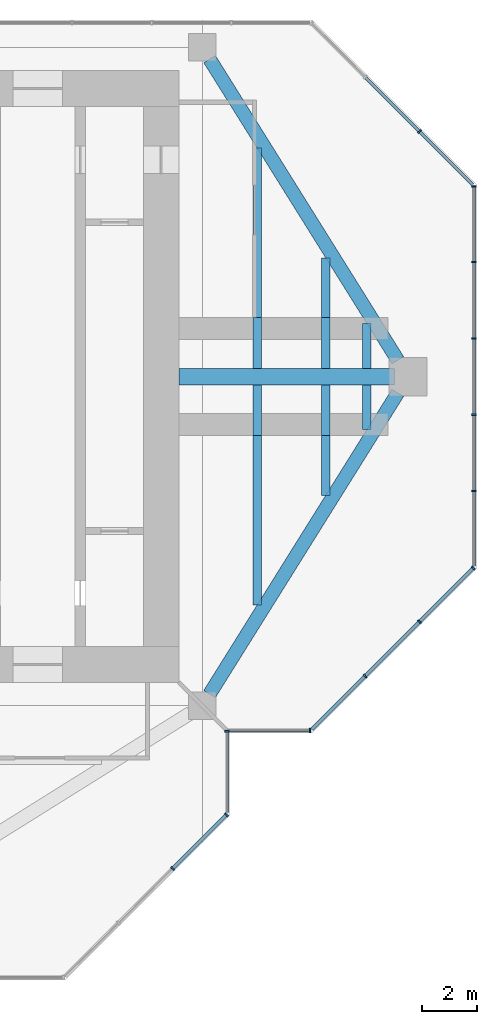
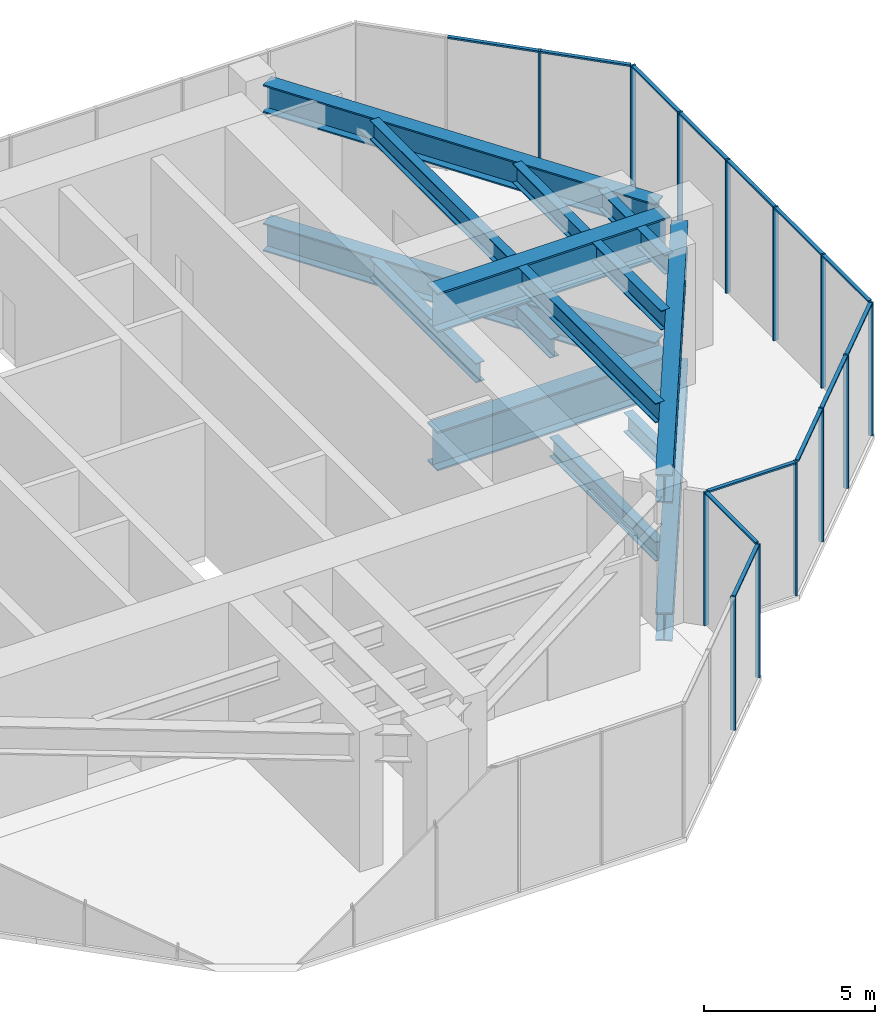
# One storey, part 5 of 10: 26 members, 16 beams, 6 elements without a shape of their own.
"""IFC4 building model written with IfcOpenShell, lengths in metres."""

from ifc_helpers import new_model, si_unit, direction, frame, origin, origin_2d, place, context, subcontext, project, spatial, rectangle, i_section, extrude, material, material_profile, profile_set, type_object, element, aggregate, save


model = new_model("IFC4")

# Units and contexts
model_context = context("Model", 3, precision=1e-05, world=origin(), true_north=direction((0.0, 1.0)))
body_context = subcontext(model_context, "Body", "Model", "MODEL_VIEW")
ifc_project = project(units=[si_unit("LENGTHUNIT", "METRE"), si_unit("AREAUNIT", "SQUARE_METRE"), si_unit("VOLUMEUNIT", "CUBIC_METRE"), si_unit("PLANEANGLEUNIT", "RADIAN"), si_unit("MASSUNIT", "GRAM", prefix="KILO")], contexts=[model_context])

# Site, building, storey
site_placement = place(None, origin())
site = spatial("IfcSite", under=ifc_project, at=site_placement, CompositionType="ELEMENT")
building_placement = place(site_placement, origin())
building = spatial("IfcBuilding", under=site, at=building_placement, Name="Mizan Broadcast Tower", CompositionType="ELEMENT")
storey_placement = place(building_placement, frame((0.0, 0.0, 311.300048828125)))
storey = spatial("IfcBuildingStorey", under=building, at=storey_placement, Name="L74", CompositionType="ELEMENT", Elevation=311.300048828125)

# Beams
ifc_material_1 = material(Name="Steel S460", Category="steel")
ifc_material_profile_1 = material_profile(ifc_material_1, i_section(OverallWidth=0.5, OverallDepth=1.0, WebThickness=0.02490234375, FlangeThickness=0.050048828125, at=origin_2d()), Name="WPG 1000x500")
ifc_profile_set_1 = profile_set([ifc_material_profile_1], Name="Steel S460")
beam_type_1 = type_object("IfcBeamType", Name="GIRDER WPG 1000x500", PredefinedType="BEAM", material=ifc_profile_set_1)
for number, where, z_axis, x_axis, name in (
    (1, (12.264892578125, -11.575927734375, -0.679931640625), (0.529998940003, 0.847998304005, 0.0), (-0.847998304005, 0.529998940003, 0.0), "Girder WPG 1000x500 L74 east arm"),
    (2, (12.264892578125, 11.575927734375, -0.679931640625), (0.529998940003, -0.847998304005, 0.0), (0.847998304005, 0.529998940003, 0.0), "Girder WPG 1000x500 L74 east arm"),
    (3, (12.264892578125, -11.575927734375, 4.25), (0.529998940003, 0.847998304005, 0.0), (-0.847998304005, 0.529998940003, 0.0), "Girder WPG 1000x500 L74 east arm"),
    (4, (12.264892578125, 11.575927734375, 4.25), (0.529998940003, -0.847998304005, 0.0), (0.847998304005, 0.529998940003, 0.0), "Girder WPG 1000x500 L74 east arm"),
):
    element("IfcBeam", number, at=place(storey_placement, frame(where, z_axis=z_axis, x_axis=x_axis)), inside=storey, type_object=beam_type_1, Name=name, PredefinedType="BEAM", context=body_context, shape_type="SweptSolid", body=[
        extrude(i_section(OverallWidth=0.5, OverallDepth=1.0, WebThickness=0.02490234375, FlangeThickness=0.050048828125, at=origin_2d()), origin(), (0.0, 0.0, 1.0), 12.950927734375),
    ])
ifc_material_2 = material(Name="Steel S460", Category="steel")
ifc_material_profile_2 = material_profile(ifc_material_2, i_section(OverallWidth=0.60009765625, OverallDepth=1.39990234375, WebThickness=0.02490234375, FlangeThickness=0.06005859375, at=origin_2d()), Name="WPG 1400x600")
ifc_profile_set_2 = profile_set([ifc_material_profile_2], Name="Steel S460")
beam_type_2 = type_object("IfcBeamType", Name="GIRDER WPG 1400x600", PredefinedType="BEAM", material=ifc_profile_set_2)
for number, where, z_axis, x_axis, name in (
    (5, (11.14990234375, 0.0, -0.880126953125), (1.0, 0.0, 0.0), (0.0, 1.0, 0.0), "Girder WPG 1400x600 L74 east arm"),
    (6, (11.14990234375, 0.0, 4.050048828125), (1.0, 0.0, 0.0), (0.0, 1.0, 0.0), "Girder WPG 1400x600 L74 east arm"),
):
    element("IfcBeam", number, at=place(storey_placement, frame(where, z_axis=z_axis, x_axis=x_axis)), inside=storey, type_object=beam_type_2, Name=name, PredefinedType="BEAM", context=body_context, shape_type="SweptSolid", body=[
        extrude(i_section(OverallWidth=0.60009765625, OverallDepth=1.39990234375, WebThickness=0.02490234375, FlangeThickness=0.06005859375, at=origin_2d()), origin(), (0.0, 0.0, 1.0), 7.84912109375),
    ])

# Curtain wall, member
ifc_material_3 = material(Name="Aluminium framed glazing", Category="aluminium")
curtain_wall_type = type_object("IfcCurtainWallType", Name="LANTERN", PredefinedType="USERDEFINED", material=ifc_material_3)
curtain_wall_1_placement = place(storey_placement, origin())
curtain_wall_1 = element("IfcCurtainWall", 7, at=curtain_wall_1_placement, inside=storey, type_object=curtain_wall_type, Name="Lantern L74 E side", ObjectType="LANTERN", PredefinedType="USERDEFINED")
ifc_material_4 = material(Name="Aluminium, pale anodised", Category="aluminium")
ifc_material_profile_3 = material_profile(ifc_material_4, rectangle(XDim=0.159912109375, YDim=0.06005859375, at=origin_2d()), Name="MULLION 160x60")
ifc_profile_set_3 = profile_set([ifc_material_profile_3], Name="Aluminium, pale anodised")
member_type_1 = type_object("IfcMemberType", Name="INNER SKIN MULLION 60x160", PredefinedType="MULLION", material=ifc_profile_set_3)
member_1_placement = place(storey_placement, frame((15.928466796875, -12.89990234375, 0.0), z_axis=(0.0, 0.0, 1.0), x_axis=(0.0, 1.0, 0.0)))
member_1 = element("IfcMember", 8, at=member_1_placement, type_object=member_type_1, Name="Lantern L74 E side mullion 2", PredefinedType="MULLION", context=body_context, shape_type="SweptSolid", body=[
    extrude(rectangle(XDim=0.159912109375, YDim=0.06005859375, at=origin_2d()), origin(), (0.0, 0.0, 1.0), 4.75),
])

# Curtain wall, members
curtain_wall_2_placement = place(storey_placement, origin())
curtain_wall_2 = element("IfcCurtainWall", 9, at=curtain_wall_2_placement, inside=storey, type_object=curtain_wall_type, Name="Lantern L74 E chamfer", ObjectType="LANTERN", PredefinedType="USERDEFINED")
member_2_placement = place(storey_placement, frame((17.93896484375, -10.91943359375, 0.0), z_axis=(0.0, 0.0, 1.0), x_axis=(-0.707106781187, 0.707106781187, 0.0)))
member_2 = element("IfcMember", 10, at=member_2_placement, type_object=member_type_1, Name="Lantern L74 E chamfer mullion 2", PredefinedType="MULLION", context=body_context, shape_type="SweptSolid", body=[
    extrude(rectangle(XDim=0.159912109375, YDim=0.06005859375, at=origin_2d()), origin(), (0.0, 0.0, 1.0), 4.75),
])
member_3_placement = place(storey_placement, frame((19.91943359375, -8.93896484375, 0.0), z_axis=(0.0, 0.0, 1.0), x_axis=(-0.707106781187, 0.707106781187, 0.0)))
member_3 = element("IfcMember", 11, at=member_3_placement, type_object=member_type_1, Name="Lantern L74 E chamfer mullion 3", PredefinedType="MULLION", context=body_context, shape_type="SweptSolid", body=[
    extrude(rectangle(XDim=0.159912109375, YDim=0.06005859375, at=origin_2d()), origin(), (0.0, 0.0, 1.0), 4.75),
])
member_4_placement = place(storey_placement, frame((21.87890625, -6.979736328125, 0.0), z_axis=(0.0, 0.0, 1.0), x_axis=(-0.707106781187, 0.707106781187, 0.0)))
member_4 = element("IfcMember", 12, at=member_4_placement, type_object=member_type_1, Name="Lantern L74 E chamfer mullion 4", PredefinedType="MULLION", context=body_context, shape_type="SweptSolid", body=[
    extrude(rectangle(XDim=0.159912109375, YDim=0.06005859375, at=origin_2d()), origin(), (0.0, 0.0, 1.0), 4.75),
])

curtain_wall_3_placement = place(storey_placement, origin())
curtain_wall_3 = element("IfcCurtainWall", 13, at=curtain_wall_3_placement, inside=storey, type_object=curtain_wall_type, Name="Lantern L74 E end", ObjectType="LANTERN", PredefinedType="USERDEFINED")
member_5_placement = place(storey_placement, frame((21.89990234375, -4.175048828125, 0.0), z_axis=(0.0, 0.0, 1.0), x_axis=(-1.0, 0.0, 0.0)))
member_5 = element("IfcMember", 14, at=member_5_placement, type_object=member_type_1, Name="Lantern L74 E end mullion 2", PredefinedType="MULLION", context=body_context, shape_type="SweptSolid", body=[
    extrude(rectangle(XDim=0.159912109375, YDim=0.06005859375, at=origin_2d()), origin(), (0.0, 0.0, 1.0), 4.75),
])
member_6_placement = place(storey_placement, frame((21.89990234375, -1.3916015625, 0.0), z_axis=(0.0, 0.0, 1.0), x_axis=(-1.0, 0.0, 0.0)))
member_6 = element("IfcMember", 15, at=member_6_placement, type_object=member_type_1, Name="Lantern L74 E end mullion 3", PredefinedType="MULLION", context=body_context, shape_type="SweptSolid", body=[
    extrude(rectangle(XDim=0.159912109375, YDim=0.06005859375, at=origin_2d()), origin(), (0.0, 0.0, 1.0), 4.75),
])
member_7_placement = place(storey_placement, frame((21.89990234375, 1.3916015625, 0.0), z_axis=(0.0, 0.0, 1.0), x_axis=(-1.0, 0.0, 0.0)))
member_7 = element("IfcMember", 16, at=member_7_placement, type_object=member_type_1, Name="Lantern L74 E end mullion 4", PredefinedType="MULLION", context=body_context, shape_type="SweptSolid", body=[
    extrude(rectangle(XDim=0.159912109375, YDim=0.06005859375, at=origin_2d()), origin(), (0.0, 0.0, 1.0), 4.75),
])
member_8_placement = place(storey_placement, frame((21.89990234375, 4.175048828125, 0.0), z_axis=(0.0, 0.0, 1.0), x_axis=(-1.0, 0.0, 0.0)))
member_8 = element("IfcMember", 17, at=member_8_placement, type_object=member_type_1, Name="Lantern L74 E end mullion 5", PredefinedType="MULLION", context=body_context, shape_type="SweptSolid", body=[
    extrude(rectangle(XDim=0.159912109375, YDim=0.06005859375, at=origin_2d()), origin(), (0.0, 0.0, 1.0), 4.75),
])
member_9_placement = place(storey_placement, frame((21.89990234375, 6.928466796875, 0.0), z_axis=(0.0, 0.0, 1.0), x_axis=(-1.0, 0.0, 0.0)))
member_9 = element("IfcMember", 18, at=member_9_placement, type_object=member_type_1, Name="Lantern L74 E end mullion 6", PredefinedType="MULLION", context=body_context, shape_type="SweptSolid", body=[
    extrude(rectangle(XDim=0.159912109375, YDim=0.06005859375, at=origin_2d()), origin(), (0.0, 0.0, 1.0), 4.75),
])

# Curtain wall, member
curtain_wall_4_placement = place(storey_placement, origin())
curtain_wall_4 = element("IfcCurtainWall", 19, at=curtain_wall_4_placement, inside=storey, type_object=curtain_wall_type, Name="Lantern L74 E chamfer", ObjectType="LANTERN", PredefinedType="USERDEFINED")
member_10_placement = place(storey_placement, frame((19.91943359375, 8.93896484375, 0.0), z_axis=(0.0, 0.0, 1.0), x_axis=(-0.707106781187, -0.707106781187, 0.0)))
member_10 = element("IfcMember", 20, at=member_10_placement, type_object=member_type_1, Name="Lantern L74 E chamfer mullion 2", PredefinedType="MULLION", context=body_context, shape_type="SweptSolid", body=[
    extrude(rectangle(XDim=0.159912109375, YDim=0.06005859375, at=origin_2d()), origin(), (0.0, 0.0, 1.0), 4.75),
])

# Curtain wall, members
curtain_wall_5_placement = place(storey_placement, origin())
curtain_wall_5 = element("IfcCurtainWall", 21, at=curtain_wall_5_placement, inside=storey, type_object=curtain_wall_type, Name="Lantern L74 S chamfer", ObjectType="LANTERN", PredefinedType="USERDEFINED")
member_11_placement = place(storey_placement, frame((10.91943359375, -17.93896484375, 0.0), z_axis=(0.0, 0.0, 1.0), x_axis=(-0.707106781187, 0.707106781187, 0.0)))
member_11 = element("IfcMember", 22, at=member_11_placement, type_object=member_type_1, Name="Lantern L74 S chamfer mullion 3", PredefinedType="MULLION", context=body_context, shape_type="SweptSolid", body=[
    extrude(rectangle(XDim=0.159912109375, YDim=0.06005859375, at=origin_2d()), origin(), (0.0, 0.0, 1.0), 4.75),
])
member_12_placement = place(storey_placement, frame((12.87890625, -15.979736328125, 0.0), z_axis=(0.0, 0.0, 1.0), x_axis=(-0.707106781187, 0.707106781187, 0.0)))
member_12 = element("IfcMember", 23, at=member_12_placement, type_object=member_type_1, Name="Lantern L74 S chamfer mullion 4", PredefinedType="MULLION", context=body_context, shape_type="SweptSolid", body=[
    extrude(rectangle(XDim=0.159912109375, YDim=0.06005859375, at=origin_2d()), origin(), (0.0, 0.0, 1.0), 4.75),
])

# Curtain wall, member
curtain_wall_6_placement = place(storey_placement, origin())
curtain_wall_6 = element("IfcCurtainWall", 24, at=curtain_wall_6_placement, inside=storey, type_object=curtain_wall_type, Name="Lantern L74 S side", ObjectType="LANTERN", PredefinedType="USERDEFINED")
member_13_placement = place(storey_placement, frame((12.89990234375, -12.929931640625, 0.0), z_axis=(0.0, 0.0, 1.0), x_axis=(-1.0, 0.0, 0.0)))
member_13 = element("IfcMember", 25, at=member_13_placement, type_object=member_type_1, Name="Lantern L74 S side mullion 2", PredefinedType="MULLION", context=body_context, shape_type="SweptSolid", body=[
    extrude(rectangle(XDim=0.159912109375, YDim=0.06005859375, at=origin_2d()), origin(), (0.0, 0.0, 1.0), 4.75),
])

# Member
ifc_material_5 = material(Name="Aluminium, pale anodised", Category="aluminium")
ifc_material_profile_4 = material_profile(ifc_material_5, rectangle(XDim=0.1201171875, YDim=0.06005859375, at=origin_2d()), Name="TRANSOM 120x60")
ifc_profile_set_4 = profile_set([ifc_material_profile_4], Name="Aluminium, pale anodised")
member_type_2 = type_object("IfcMemberType", Name="INNER SKIN TRANSOM 60x120", PredefinedType="USERDEFINED", material=ifc_profile_set_4)
member_14_placement = place(storey_placement, frame((12.9599609375, -12.89990234375, 4.719970703125), z_axis=(1.0, 0.0, 0.0), x_axis=(0.0, 1.0, 0.0)))
member_14 = element("IfcMember", 26, at=member_14_placement, type_object=member_type_2, Name="Lantern L74 E side transom 1.1", ObjectType="TRANSOM", PredefinedType="USERDEFINED", context=body_context, shape_type="SweptSolid", body=[
    extrude(rectangle(XDim=0.1201171875, YDim=0.06005859375, at=origin_2d()), origin(), (0.0, 0.0, 1.0), 2.938720703125),
])

aggregate(curtain_wall_1, [member_1, member_14])

member_15_placement = place(storey_placement, frame((16.0009765625, -12.857666015625, 4.719970703125), z_axis=(0.707061749709, 0.707151809797, 0.0), x_axis=(-0.707151809797, 0.707061749709, 0.0)))
member_15 = element("IfcMember", 27, at=member_15_placement, type_object=member_type_2, Name="Lantern L74 E chamfer transom 1.1", ObjectType="TRANSOM", PredefinedType="USERDEFINED", context=body_context, shape_type="SweptSolid", body=[
    extrude(rectangle(XDim=0.1201171875, YDim=0.06005859375, at=origin_2d()), origin(), (0.0, 0.0, 1.0), 2.7109375),
])

member_16_placement = place(storey_placement, frame((17.960205078125, -10.898193359375, 4.719970703125), z_axis=(0.707106781187, 0.707106781187, 0.0), x_axis=(-0.707106781187, 0.707106781187, 0.0)))
member_16 = element("IfcMember", 28, at=member_16_placement, type_object=member_type_2, Name="Lantern L74 E chamfer transom 2.1", ObjectType="TRANSOM", PredefinedType="USERDEFINED", context=body_context, shape_type="SweptSolid", body=[
    extrude(rectangle(XDim=0.1201171875, YDim=0.06005859375, at=origin_2d()), origin(), (0.0, 0.0, 1.0), 2.74072265625),
])

member_17_placement = place(storey_placement, frame((19.940673828125, -8.917724609375, 4.719970703125), z_axis=(0.707151809797, 0.707061749709, 0.0), x_axis=(-0.707061749709, 0.707151809797, 0.0)))
member_17 = element("IfcMember", 29, at=member_17_placement, type_object=member_type_2, Name="Lantern L74 E chamfer transom 3.1", ObjectType="TRANSOM", PredefinedType="USERDEFINED", context=body_context, shape_type="SweptSolid", body=[
    extrude(rectangle(XDim=0.1201171875, YDim=0.06005859375, at=origin_2d()), origin(), (0.0, 0.0, 1.0), 2.7109375),
])

aggregate(curtain_wall_2, [member_2, member_3, member_4, member_15, member_16, member_17])

member_18_placement = place(storey_placement, frame((21.89990234375, -6.898681640625, 4.719970703125), z_axis=(0.0, 1.0, 0.0), x_axis=(-1.0, 0.0, 0.0)))
member_18 = element("IfcMember", 30, at=member_18_placement, type_object=member_type_2, Name="Lantern L74 E end transom 1.1", ObjectType="TRANSOM", PredefinedType="USERDEFINED", context=body_context, shape_type="SweptSolid", body=[
    extrude(rectangle(XDim=0.1201171875, YDim=0.06005859375, at=origin_2d()), origin(), (0.0, 0.0, 1.0), 2.693603515625),
])

member_19_placement = place(storey_placement, frame((21.89990234375, -4.145263671875, 4.719970703125), z_axis=(0.0, 1.0, 0.0), x_axis=(-1.0, 0.0, 0.0)))
member_19 = element("IfcMember", 31, at=member_19_placement, type_object=member_type_2, Name="Lantern L74 E end transom 2.1", ObjectType="TRANSOM", PredefinedType="USERDEFINED", context=body_context, shape_type="SweptSolid", body=[
    extrude(rectangle(XDim=0.1201171875, YDim=0.06005859375, at=origin_2d()), origin(), (0.0, 0.0, 1.0), 2.7236328125),
])

member_20_placement = place(storey_placement, frame((21.89990234375, -1.36181640625, 4.719970703125), z_axis=(0.0, 1.0, 0.0), x_axis=(-1.0, 0.0, 0.0)))
member_20 = element("IfcMember", 32, at=member_20_placement, type_object=member_type_2, Name="Lantern L74 E end transom 3.1", ObjectType="TRANSOM", PredefinedType="USERDEFINED", context=body_context, shape_type="SweptSolid", body=[
    extrude(rectangle(XDim=0.1201171875, YDim=0.06005859375, at=origin_2d()), origin(), (0.0, 0.0, 1.0), 2.7236328125),
])

member_21_placement = place(storey_placement, frame((21.89990234375, 1.421630859375, 4.719970703125), z_axis=(0.0, 1.0, 0.0), x_axis=(-1.0, 0.0, 0.0)))
member_21 = element("IfcMember", 33, at=member_21_placement, type_object=member_type_2, Name="Lantern L74 E end transom 4.1", ObjectType="TRANSOM", PredefinedType="USERDEFINED", context=body_context, shape_type="SweptSolid", body=[
    extrude(rectangle(XDim=0.1201171875, YDim=0.06005859375, at=origin_2d()), origin(), (0.0, 0.0, 1.0), 2.7236328125),
])

member_22_placement = place(storey_placement, frame((21.89990234375, 4.205078125, 4.719970703125), z_axis=(0.0, 1.0, 0.0), x_axis=(-1.0, 0.0, 0.0)))
member_22 = element("IfcMember", 34, at=member_22_placement, type_object=member_type_2, Name="Lantern L74 E end transom 5.1", ObjectType="TRANSOM", PredefinedType="USERDEFINED", context=body_context, shape_type="SweptSolid", body=[
    extrude(rectangle(XDim=0.1201171875, YDim=0.06005859375, at=origin_2d()), origin(), (0.0, 0.0, 1.0), 2.693603515625),
])

aggregate(curtain_wall_3, [member_5, member_6, member_7, member_8, member_9, member_18, member_19, member_20, member_21, member_22])

member_23_placement = place(storey_placement, frame((21.857666015625, 7.0009765625, 4.719970703125), z_axis=(-0.707151809797, 0.707061749709, 0.0), x_axis=(-0.707061749709, -0.707151809797, 0.0)))
member_23 = element("IfcMember", 35, at=member_23_placement, type_object=member_type_2, Name="Lantern L74 E chamfer transom 1.1", ObjectType="TRANSOM", PredefinedType="USERDEFINED", context=body_context, shape_type="SweptSolid", body=[
    extrude(rectangle(XDim=0.1201171875, YDim=0.06005859375, at=origin_2d()), origin(), (0.0, 0.0, 1.0), 2.7109375),
])

member_24_placement = place(storey_placement, frame((19.898193359375, 8.960205078125, 4.719970703125), z_axis=(-0.707106781187, 0.707106781187, 0.0), x_axis=(-0.707106781187, -0.707106781187, 0.0)))
member_24 = element("IfcMember", 36, at=member_24_placement, type_object=member_type_2, Name="Lantern L74 E chamfer transom 2.1", ObjectType="TRANSOM", PredefinedType="USERDEFINED", context=body_context, shape_type="SweptSolid", body=[
    extrude(rectangle(XDim=0.1201171875, YDim=0.06005859375, at=origin_2d()), origin(), (0.0, 0.0, 1.0), 2.74072265625),
])

aggregate(curtain_wall_4, [member_10, member_23, member_24])

member_25_placement = place(storey_placement, frame((10.940673828125, -17.917724609375, 4.719970703125), z_axis=(0.707151809797, 0.707061749709, 0.0), x_axis=(-0.707061749709, 0.707151809797, 0.0)))
member_25 = element("IfcMember", 37, at=member_25_placement, type_object=member_type_2, Name="Lantern L74 S chamfer transom 3.1", ObjectType="TRANSOM", PredefinedType="USERDEFINED", context=body_context, shape_type="SweptSolid", body=[
    extrude(rectangle(XDim=0.1201171875, YDim=0.06005859375, at=origin_2d()), origin(), (0.0, 0.0, 1.0), 2.7109375),
])

aggregate(curtain_wall_5, [member_11, member_12, member_25])

member_26_placement = place(storey_placement, frame((12.89990234375, -15.898681640625, 4.719970703125), z_axis=(0.0, 1.0, 0.0), x_axis=(-1.0, 0.0, 0.0)))
member_26 = element("IfcMember", 38, at=member_26_placement, type_object=member_type_2, Name="Lantern L74 S side transom 1.1", ObjectType="TRANSOM", PredefinedType="USERDEFINED", context=body_context, shape_type="SweptSolid", body=[
    extrude(rectangle(XDim=0.1201171875, YDim=0.06005859375, at=origin_2d()), origin(), (0.0, 0.0, 1.0), 2.938720703125),
])

aggregate(curtain_wall_6, [member_13, member_26])

# Beams
ifc_material_6 = material(Name="Steel S355", Category="steel")
ifc_material_profile_5 = material_profile(ifc_material_6, i_section(OverallWidth=0.300048828125, OverallDepth=0.68994140625, WebThickness=0.014404296875, FlangeThickness=0.027099609375, FilletRadius=0.027099609375, at=origin_2d()), Name="HEA 700")
ifc_profile_set_5 = profile_set([ifc_material_profile_5], Name="Steel S355")
beam_type_3 = type_object("IfcBeamType", Name="SECONDARY BEAM HEA 700", PredefinedType="JOIST", material=ifc_profile_set_5)
beam_1_placement = place(storey_placement, frame((14.0, -8.328369140625, -0.525146484375), z_axis=(0.0, 1.0, 0.0), x_axis=(-1.0, 0.0, 0.0)))
element("IfcBeam", 39, at=beam_1_placement, inside=storey, type_object=beam_type_3, Name="Secondary beam HEA 700 L74 east arm", PredefinedType="JOIST", context=body_context, shape_type="SweptSolid", body=[
    extrude(i_section(OverallWidth=0.300048828125, OverallDepth=0.68994140625, WebThickness=0.014404296875, FlangeThickness=0.027099609375, FilletRadius=0.027099609375, at=origin_2d()), origin(), (0.0, 0.0, 1.0), 6.178466796875),
])
beam_2_placement = place(storey_placement, frame((16.5, -4.328369140625, -0.525146484375), z_axis=(0.0, 1.0, 0.0), x_axis=(-1.0, 0.0, 0.0)))
element("IfcBeam", 40, at=beam_2_placement, inside=storey, type_object=beam_type_3, Name="Secondary beam HEA 700 L74 east arm", PredefinedType="JOIST", context=body_context, shape_type="SweptSolid", body=[
    extrude(i_section(OverallWidth=0.300048828125, OverallDepth=0.68994140625, WebThickness=0.014404296875, FlangeThickness=0.027099609375, FilletRadius=0.027099609375, at=origin_2d()), origin(), (0.0, 0.0, 1.0), 2.178466796875),
])
beam_3_placement = place(storey_placement, frame((14.0, 8.328369140625, -0.525146484375), z_axis=(0.0, -1.0, 0.0), x_axis=(1.0, 0.0, 0.0)))
element("IfcBeam", 41, at=beam_3_placement, inside=storey, type_object=beam_type_3, Name="Secondary beam HEA 700 L74 east arm", PredefinedType="JOIST", context=body_context, shape_type="SweptSolid", body=[
    extrude(i_section(OverallWidth=0.300048828125, OverallDepth=0.68994140625, WebThickness=0.014404296875, FlangeThickness=0.027099609375, FilletRadius=0.027099609375, at=origin_2d()), origin(), (0.0, 0.0, 1.0), 6.178466796875),
])
beam_4_placement = place(storey_placement, frame((16.5, 4.328369140625, -0.525146484375), z_axis=(0.0, -1.0, 0.0), x_axis=(1.0, 0.0, 0.0)))
element("IfcBeam", 42, at=beam_4_placement, inside=storey, type_object=beam_type_3, Name="Secondary beam HEA 700 L74 east arm", PredefinedType="JOIST", context=body_context, shape_type="SweptSolid", body=[
    extrude(i_section(OverallWidth=0.300048828125, OverallDepth=0.68994140625, WebThickness=0.014404296875, FlangeThickness=0.027099609375, FilletRadius=0.027099609375, at=origin_2d()), origin(), (0.0, 0.0, 1.0), 2.178466796875),
])
beam_5_placement = place(storey_placement, frame((14.0, -8.328369140625, 4.405029296875), z_axis=(0.0, 1.0, 0.0), x_axis=(-1.0, 0.0, 0.0)))
element("IfcBeam", 43, at=beam_5_placement, inside=storey, type_object=beam_type_3, Name="Secondary beam HEA 700 L74 east arm", PredefinedType="JOIST", context=body_context, shape_type="SweptSolid", body=[
    extrude(i_section(OverallWidth=0.300048828125, OverallDepth=0.68994140625, WebThickness=0.014404296875, FlangeThickness=0.027099609375, FilletRadius=0.027099609375, at=origin_2d()), origin(), (0.0, 0.0, 1.0), 8.0283203125),
])
beam_6_placement = place(storey_placement, frame((16.5, -4.328369140625, 4.405029296875), z_axis=(0.0, 1.0, 0.0), x_axis=(-1.0, 0.0, 0.0)))
element("IfcBeam", 44, at=beam_6_placement, inside=storey, type_object=beam_type_3, Name="Secondary beam HEA 700 L74 east arm", PredefinedType="JOIST", context=body_context, shape_type="SweptSolid", body=[
    extrude(i_section(OverallWidth=0.300048828125, OverallDepth=0.68994140625, WebThickness=0.014404296875, FlangeThickness=0.027099609375, FilletRadius=0.027099609375, at=origin_2d()), origin(), (0.0, 0.0, 1.0), 4.0283203125),
])
beam_7_placement = place(storey_placement, frame((18.0, -1.92822265625, 4.405029296875), z_axis=(0.0, 1.0, 0.0), x_axis=(-1.0, 0.0, 0.0)))
element("IfcBeam", 45, at=beam_7_placement, inside=storey, type_object=beam_type_3, Name="Secondary beam HEA 700 L74 east arm", PredefinedType="JOIST", context=body_context, shape_type="SweptSolid", body=[
    extrude(i_section(OverallWidth=0.300048828125, OverallDepth=0.68994140625, WebThickness=0.014404296875, FlangeThickness=0.027099609375, FilletRadius=0.027099609375, at=origin_2d()), origin(), (0.0, 0.0, 1.0), 1.628173828125),
])
beam_8_placement = place(storey_placement, frame((14.0, 8.328369140625, 4.405029296875), z_axis=(0.0, -1.0, 0.0), x_axis=(1.0, 0.0, 0.0)))
element("IfcBeam", 46, at=beam_8_placement, inside=storey, type_object=beam_type_3, Name="Secondary beam HEA 700 L74 east arm", PredefinedType="JOIST", context=body_context, shape_type="SweptSolid", body=[
    extrude(i_section(OverallWidth=0.300048828125, OverallDepth=0.68994140625, WebThickness=0.014404296875, FlangeThickness=0.027099609375, FilletRadius=0.027099609375, at=origin_2d()), origin(), (0.0, 0.0, 1.0), 8.0283203125),
])
beam_9_placement = place(storey_placement, frame((16.5, 4.328369140625, 4.405029296875), z_axis=(0.0, -1.0, 0.0), x_axis=(1.0, 0.0, 0.0)))
element("IfcBeam", 47, at=beam_9_placement, inside=storey, type_object=beam_type_3, Name="Secondary beam HEA 700 L74 east arm", PredefinedType="JOIST", context=body_context, shape_type="SweptSolid", body=[
    extrude(i_section(OverallWidth=0.300048828125, OverallDepth=0.68994140625, WebThickness=0.014404296875, FlangeThickness=0.027099609375, FilletRadius=0.027099609375, at=origin_2d()), origin(), (0.0, 0.0, 1.0), 4.0283203125),
])
beam_10_placement = place(storey_placement, frame((18.0, 1.92822265625, 4.405029296875), z_axis=(0.0, -1.0, 0.0), x_axis=(1.0, 0.0, 0.0)))
element("IfcBeam", 48, at=beam_10_placement, inside=storey, type_object=beam_type_3, Name="Secondary beam HEA 700 L74 east arm", PredefinedType="JOIST", context=body_context, shape_type="SweptSolid", body=[
    extrude(i_section(OverallWidth=0.300048828125, OverallDepth=0.68994140625, WebThickness=0.014404296875, FlangeThickness=0.027099609375, FilletRadius=0.027099609375, at=origin_2d()), origin(), (0.0, 0.0, 1.0), 1.628173828125),
])

save(model, "model.ifc")
